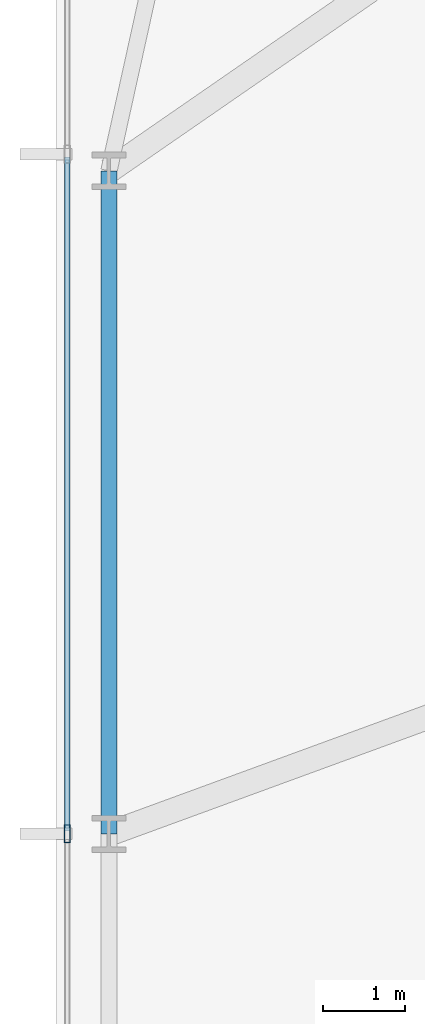
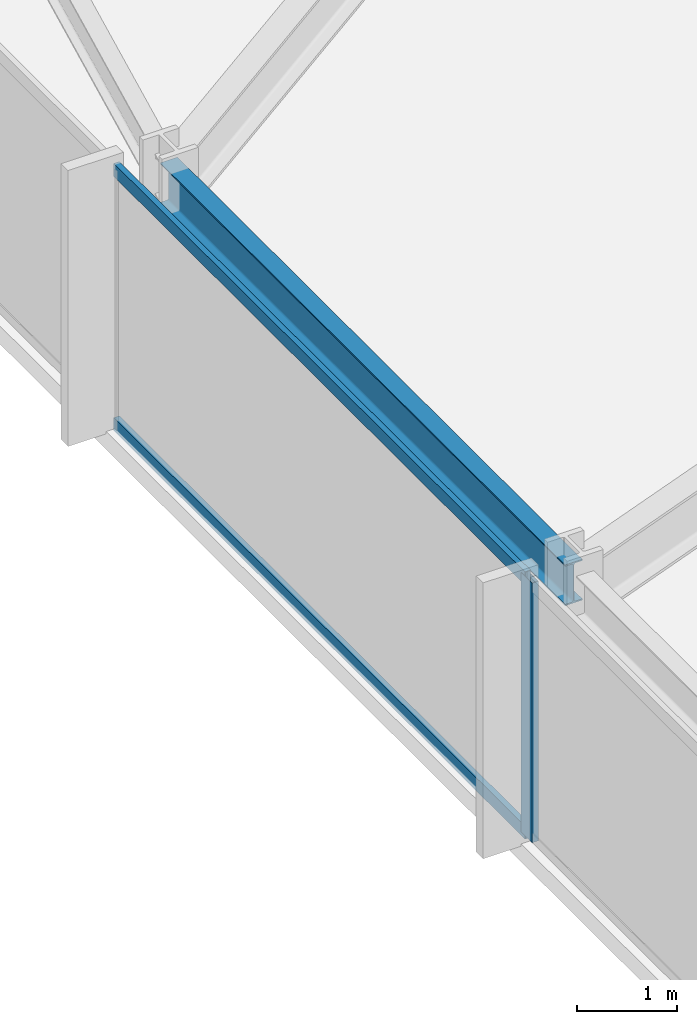
# One storey, part 7 of 32: 3 members, 1 beam, 1 element without a shape of its own.
"""IFC4 building model written with IfcOpenShell, lengths in metres."""

from ifc_helpers import new_model, si_unit, direction, frame, origin, origin_2d, place, context, subcontext, project, spatial, hollow_rectangle, i_section, extrude, material, material_profile, profile_set, type_object, element, aggregate, save


model = new_model("IFC4")

# Units and contexts
model_context = context("Model", 3, precision=1e-05, world=origin(), true_north=direction((0.0, 1.0)))
body_context = subcontext(model_context, "Body", "Model", "MODEL_VIEW")
ifc_project = project(units=[si_unit("LENGTHUNIT", "METRE"), si_unit("AREAUNIT", "SQUARE_METRE"), si_unit("VOLUMEUNIT", "CUBIC_METRE"), si_unit("PLANEANGLEUNIT", "RADIAN"), si_unit("MASSUNIT", "GRAM", prefix="KILO")], contexts=[model_context])

# Site, building, storey
site_placement = place(None, origin())
site = spatial("IfcSite", under=ifc_project, at=site_placement, CompositionType="ELEMENT")
building_placement = place(site_placement, origin())
building = spatial("IfcBuilding", under=site, at=building_placement, Name="Yelkora Congress Tower", CompositionType="ELEMENT")
storey_placement = place(building_placement, frame((0.0, 0.0, 40.60009765625)))
storey = spatial("IfcBuildingStorey", under=building, at=storey_placement, Name="L09", CompositionType="ELEMENT", Elevation=40.60009765625)

# Beam
ifc_material_1 = material(Name="Steel S355J2", Category="steel")
ifc_material_profile_1 = material_profile(ifc_material_1, i_section(OverallWidth=0.199951171875, OverallDepth=0.5, WebThickness=0.01025390625, FlangeThickness=0.01611328125, FilletRadius=0.02099609375, at=origin_2d()), Name="IPE 500")
ifc_profile_set_1 = profile_set([ifc_material_profile_1], Name="Steel S355J2")
beam_type = type_object("IfcBeamType", Name="BM-SPAN-IPE500", PredefinedType="SPANDREL", material=ifc_profile_set_1)
beam_placement = place(storey_placement, frame((6.64990234375, 37.52490234375, 2.929931640625), z_axis=(0.0, -1.0, 0.0), x_axis=(1.0, 0.0, 0.0)))
element("IfcBeam", 1, at=beam_placement, inside=storey, type_object=beam_type, Name="L09 Perimeter Beam 18", PredefinedType="SPANDREL", context=body_context, shape_type="SweptSolid", body=[
    extrude(i_section(OverallWidth=0.199951171875, OverallDepth=0.5, WebThickness=0.01025390625, FlangeThickness=0.01611328125, FilletRadius=0.02099609375, at=origin_2d()), origin(), (0.0, 0.0, 1.0), 8.125),
])

# Curtain wall, members
ifc_material_2 = material(Name="Anodised aluminium and insulated glass", Category="aluminium")
curtain_wall_type = type_object("IfcCurtainWallType", Name="CW-SYS-B1", PredefinedType="NOTDEFINED", material=ifc_material_2)
curtain_wall_placement = place(storey_placement, origin())
curtain_wall = element("IfcCurtainWall", 2, at=curtain_wall_placement, inside=storey, type_object=curtain_wall_type, Name="L09 Unitised Curtain Wall 5", PredefinedType="NOTDEFINED")
ifc_material_3 = material(Name="Anodised aluminium 6063-T6", Category="aluminium")
ifc_material_profile_2 = material_profile(ifc_material_3, hollow_rectangle(XDim=0.074951171875, YDim=0.219970703125, WallThickness=0.0048828125, at=origin_2d()), Name="ALU 75x220x5")
ifc_profile_set_2 = profile_set([ifc_material_profile_2], Name="Anodised aluminium 6063-T6")
member_type_1 = type_object("IfcMemberType", Name="MEM-ML-B1", PredefinedType="MULLION", material=ifc_profile_set_2)
member_1_placement = place(storey_placement, frame((6.139892578125, 29.39990234375, 0.0), z_axis=(0.0, 0.0, 1.0), x_axis=(-1.0, 0.0, 0.0)))
member_1 = element("IfcMember", 3, at=member_1_placement, type_object=member_type_1, Name="CW-B1 mullion 3", PredefinedType="MULLION", context=body_context, shape_type="SweptSolid", body=[
    extrude(hollow_rectangle(XDim=0.074951171875, YDim=0.219970703125, WallThickness=0.0048828125, at=origin_2d()), origin(), (0.0, 0.0, 1.0), 3.179931640625),
])
ifc_material_profile_3 = material_profile(ifc_material_3, hollow_rectangle(XDim=0.06494140625, YDim=0.159912109375, WallThickness=0.00390625, at=origin_2d()), Name="ALU 65x160x4")
ifc_profile_set_3 = profile_set([ifc_material_profile_3], Name="Anodised aluminium 6063-T6")
member_type_2 = type_object("IfcMemberType", Name="MEM-TR-B1", PredefinedType="USERDEFINED", material=ifc_profile_set_3)
member_2_placement = place(storey_placement, frame((6.139892578125, 29.4375, 0.032470703125), z_axis=(0.0, 1.0, 0.0), x_axis=(-1.0, 0.0, 0.0)))
member_2 = element("IfcMember", 4, at=member_2_placement, type_object=member_type_2, Name="CW-B1 transom 3.1", ObjectType="TRANSOM", PredefinedType="USERDEFINED", context=body_context, shape_type="SweptSolid", body=[
    extrude(hollow_rectangle(XDim=0.06494140625, YDim=0.159912109375, WallThickness=0.00390625, at=origin_2d()), origin(), (0.0, 0.0, 1.0), 8.2548828125),
])
member_3_placement = place(storey_placement, frame((6.139892578125, 29.4375, 3.1474609375), z_axis=(0.0, 1.0, 0.0), x_axis=(-1.0, 0.0, 0.0)))
member_3 = element("IfcMember", 5, at=member_3_placement, type_object=member_type_2, Name="CW-B1 transom 3.2", ObjectType="TRANSOM", PredefinedType="USERDEFINED", context=body_context, shape_type="SweptSolid", body=[
    extrude(hollow_rectangle(XDim=0.06494140625, YDim=0.159912109375, WallThickness=0.00390625, at=origin_2d()), origin(), (0.0, 0.0, 1.0), 8.2548828125),
])
aggregate(curtain_wall, [member_1, member_2, member_3])

save(model, "model.ifc")
